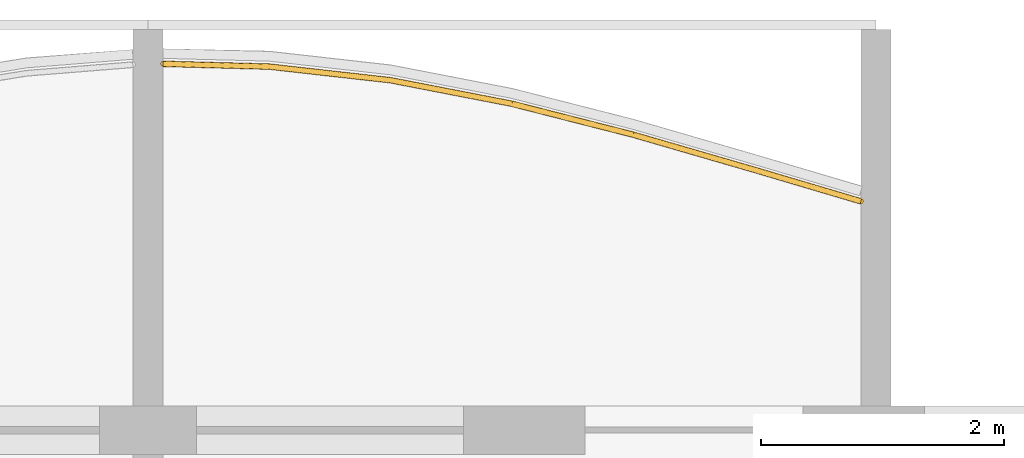
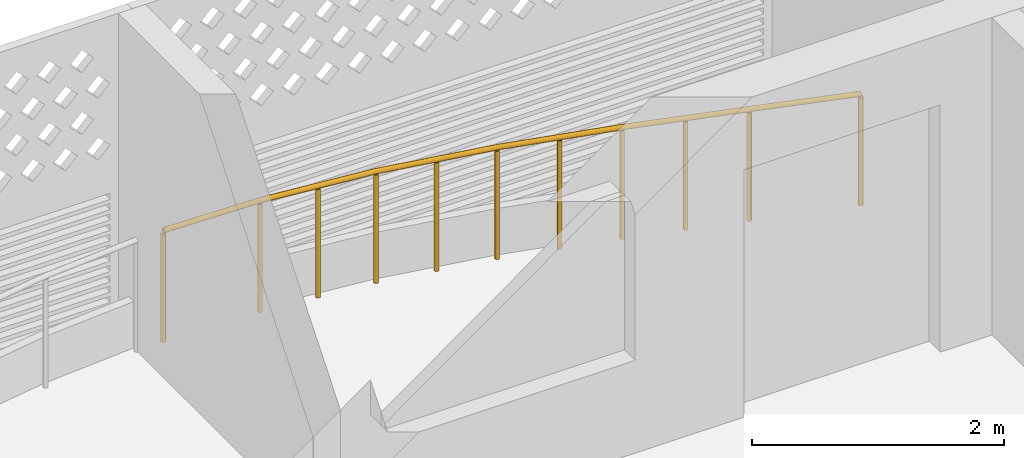
# One storey, part 17 of 26: 1 railing.
"""IFC4 building model written with IfcOpenShell, lengths in metres."""

from ifc_helpers import new_model, si_unit, direction, frame, origin, origin_2d, place, context, subcontext, project, spatial, circle, extrude, material, type_object, element, save


model = new_model("IFC4")

# Units and contexts
model_context = context("Model", 3, precision=1e-05, world=origin(), true_north=direction((0.0, 1.0)))
body_context = subcontext(model_context, "Body", "Model", "MODEL_VIEW")
ifc_project = project(units=[si_unit("LENGTHUNIT", "METRE"), si_unit("AREAUNIT", "SQUARE_METRE"), si_unit("VOLUMEUNIT", "CUBIC_METRE"), si_unit("PLANEANGLEUNIT", "RADIAN"), si_unit("MASSUNIT", "GRAM", prefix="KILO")], contexts=[model_context])

# Site, building, storey
site_placement = place(None, origin())
site = spatial("IfcSite", under=ifc_project, at=site_placement, CompositionType="ELEMENT")
building_placement = place(site_placement, origin())
building = spatial("IfcBuilding", under=site, at=building_placement, Name="Poui Terraces", CompositionType="ELEMENT")
storey_placement = place(building_placement, frame((0.0, 0.0, 228.0)))
storey = spatial("IfcBuildingStorey", under=building, at=storey_placement, Name="L63", CompositionType="ELEMENT", Elevation=228.0)

# Railing
ifc_material = material(Name="Painted steel fretwork", Category="steel")
railing_type = type_object("IfcRailingType", Name="BALCONY GUARD 1100", PredefinedType="GUARDRAIL", material=ifc_material)
railing_placement = place(storey_placement, frame((36.125, 44.21875, 0.0)))
element("IfcRailing", 1, at=railing_placement, inside=storey, type_object=railing_type, Name="BALCONY GUARD", PredefinedType="GUARDRAIL", context=body_context, shape_type="SweptSolid", body=[
    extrude(circle(Radius=0.02392578125, at=origin_2d()), frame((0.0, 0.0, 1.076171875), z_axis=(0.999663503425, -0.025939929079, 0.0), x_axis=(0.025939929079, 0.999663503425, 0.0)), (0.0, 0.0, 1.0), 0.875244140625),
    extrude(circle(Radius=0.02392578125, at=origin_2d()), frame((0.875, -0.022705078125, 1.076171875), z_axis=(0.993725924527, -0.111842688283, 0.0), x_axis=(0.111842688283, 0.993725924527, 0.0)), (0.0, 0.0, 1.0), 1.00634765625),
    extrude(circle(Radius=0.02392578125, at=origin_2d()), frame((1.875, -0.13525390625, 1.076171875), z_axis=(0.981724998512, -0.190305090044, 0.0), x_axis=(0.190305090044, 0.981724998512, 0.0)), (0.0, 0.0, 1.0), 1.0185546875),
    extrude(circle(Radius=0.02392578125, at=origin_2d()), frame((2.875, -0.3291015625, 1.076171875), z_axis=(0.968962333186, -0.247208407759, 0.0), x_axis=(0.247208407759, 0.968962333186, 0.0)), (0.0, 0.0, 1.0), 1.031982421875),
    extrude(circle(Radius=0.02392578125, at=origin_2d()), frame((3.875, -0.584228515625, 1.076171875), z_axis=(0.960481812677, -0.278342751867, 0.0), x_axis=(0.278342751867, 0.960481812677, 0.0)), (0.0, 0.0, 1.0), 1.041259765625),
    extrude(circle(Radius=0.02392578125, at=origin_2d()), frame((4.875, -0.8740234375, 1.076171875), z_axis=(0.958865561228, -0.283860591647, 0.0), x_axis=(0.283860591647, 0.958865561228, 0.0)), (0.0, 0.0, 1.0), 0.91259765625),
    extrude(circle(Radius=0.02099609375, at=origin_2d()), origin(), (0.0, 0.0, 1.0), 1.052001953125),
    extrude(circle(Radius=0.02099609375, at=origin_2d()), frame((0.875, -0.022705078125, 0.0)), (0.0, 0.0, 1.0), 1.052001953125),
    extrude(circle(Radius=0.02099609375, at=origin_2d()), frame((1.375, -0.0791015625, 0.0)), (0.0, 0.0, 1.0), 1.052001953125),
    extrude(circle(Radius=0.02099609375, at=origin_2d()), frame((1.875, -0.13525390625, 0.0)), (0.0, 0.0, 1.0), 1.052001953125),
    extrude(circle(Radius=0.02099609375, at=origin_2d()), frame((2.375, -0.232177734375, 0.0)), (0.0, 0.0, 1.0), 1.052001953125),
    extrude(circle(Radius=0.02099609375, at=origin_2d()), frame((2.875, -0.3291015625, 0.0)), (0.0, 0.0, 1.0), 1.052001953125),
    extrude(circle(Radius=0.02099609375, at=origin_2d()), frame((3.375, -0.45654296875, 0.0)), (0.0, 0.0, 1.0), 1.052001953125),
    extrude(circle(Radius=0.02099609375, at=origin_2d()), frame((3.875, -0.584228515625, 0.0)), (0.0, 0.0, 1.0), 1.052001953125),
    extrude(circle(Radius=0.02099609375, at=origin_2d()), frame((4.375, -0.72900390625, 0.0)), (0.0, 0.0, 1.0), 1.052001953125),
    extrude(circle(Radius=0.02099609375, at=origin_2d()), frame((4.875, -0.8740234375, 0.0)), (0.0, 0.0, 1.0), 1.052001953125),
    extrude(circle(Radius=0.02099609375, at=origin_2d()), frame((5.75, -1.133056640625, 0.0)), (0.0, 0.0, 1.0), 1.052001953125),
])

save(model, "model.ifc")
